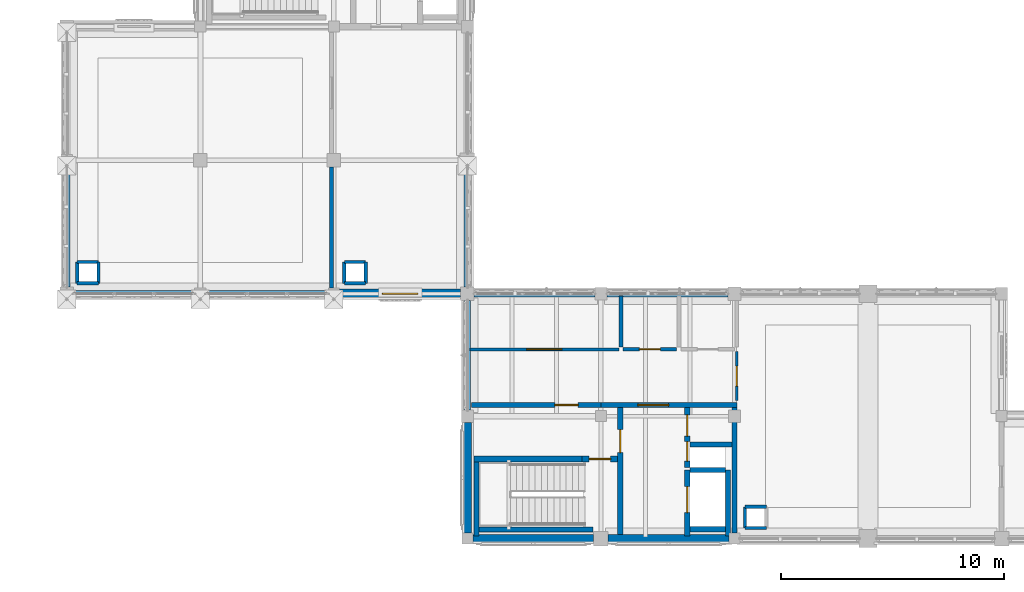
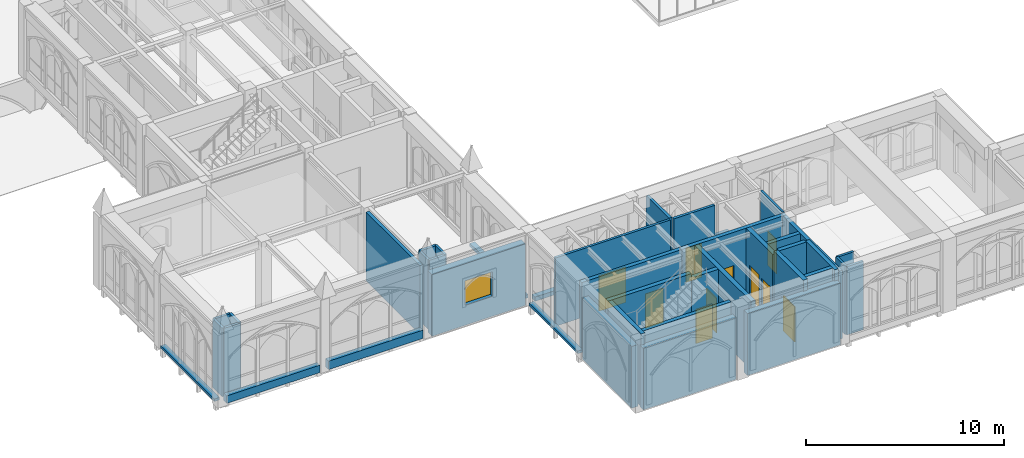
# One storey, part 75 of 127: 41 walls, 10 doors, 1 window, 11 openings.
"""IFC4 building model written with IfcOpenShell, lengths in metres."""

from ifc_helpers import new_model, si_unit, direction, frame, frame_2d, origin, place, context, subcontext, project, spatial, rectangle, extrude, material, layer, layer_set, type_object, element, fill, save


model = new_model("IFC4")

# Units and contexts
model_context = context("Model", 3, precision=1e-05, world=origin(), true_north=direction((0.0, 1.0)))
body_context = subcontext(model_context, "Body", "Model", "MODEL_VIEW")
ifc_project = project(units=[si_unit("LENGTHUNIT", "METRE"), si_unit("AREAUNIT", "SQUARE_METRE"), si_unit("VOLUMEUNIT", "CUBIC_METRE"), si_unit("PLANEANGLEUNIT", "RADIAN"), si_unit("MASSUNIT", "GRAM", prefix="KILO")], contexts=[model_context])

# Site, building, storey
site_placement = place(None, origin())
site = spatial("IfcSite", under=ifc_project, at=site_placement, CompositionType="ELEMENT")
building_placement = place(site_placement, origin())
building = spatial("IfcBuilding", under=site, at=building_placement, Name="Cumevento Cable Car Station", CompositionType="ELEMENT")
storey_placement = place(building_placement, frame((0.0, 0.0, 4.5)))
storey = spatial("IfcBuildingStorey", under=building, at=storey_placement, Name="L02", CompositionType="ELEMENT", Elevation=4.5)

# Walls
ifc_material_1 = material(Name="Gnaisse Facoidal Stone Ashlar 85 MPa", Category="masonry")
ifc_layer_1 = layer(ifc_material_1, 0.294921875)
ifc_layer_set_1 = layer_set([ifc_layer_1], Name="Gnaisse Facoidal Stone Ashlar 85 MPa")
wall_type_1 = type_object("IfcWallType", Name="Exterior Envelope Wall EW-295 295", PredefinedType="SOLIDWALL", material=ifc_layer_set_1)
wall_1_placement = place(storey_placement, frame((22.300048828125, 15.0, 0.0), z_axis=(0.0, 0.0, 1.0), x_axis=(1.0, 0.0, 0.0)))
element("IfcWall", 1, at=wall_1_placement, inside=storey, type_object=wall_type_1, Name="Exterior Sill Curb Wall EW-295 L02 #82", PredefinedType="SOLIDWALL", context=body_context, shape_type="SweptSolid", body=[
    extrude(rectangle(XDim=5.425048828125, YDim=0.294921875, at=frame_2d((2.71240234375, 0.0))), origin(), (0.0, 0.0, 1.0), 0.260009765625),
])
wall_2_placement = place(storey_placement, frame((28.27490234375, 15.0, 0.0), z_axis=(0.0, 0.0, 1.0), x_axis=(1.0, 0.0, 0.0)))
element("IfcWall", 2, at=wall_2_placement, inside=storey, type_object=wall_type_1, Name="Exterior Sill Curb Wall EW-295 L02 #84", PredefinedType="SOLIDWALL", context=body_context, shape_type="SweptSolid", body=[
    extrude(rectangle(XDim=5.425048828125, YDim=0.294921875, at=frame_2d((2.71240234375, 0.0))), origin(), (0.0, 0.0, 1.0), 0.31005859375),
])
wall_3_placement = place(storey_placement, frame((22.0, 9.77490234375, 0.0), z_axis=(0.0, 0.0, 1.0), x_axis=(0.0, 1.0, 0.0)))
element("IfcWall", 3, at=wall_3_placement, inside=storey, type_object=wall_type_1, Name="Exterior Sill Curb Wall EW-295 L02 #90", PredefinedType="SOLIDWALL", context=body_context, shape_type="SweptSolid", body=[
    extrude(rectangle(XDim=4.925048828125, YDim=0.294921875, at=frame_2d((2.46240234375, 0.0))), origin(), (0.0, 0.0, 1.0), 0.159912109375),
])
wall_4_placement = place(storey_placement, frame((9.75, 15.0, 0.0), z_axis=(0.0, 0.0, 1.0), x_axis=(-1.0, 0.0, 0.0)))
element("IfcWall", 4, at=wall_4_placement, inside=storey, type_object=wall_type_1, Name="Exterior Sill Curb Wall EW-295 L02 #125", PredefinedType="SOLIDWALL", context=body_context, shape_type="SweptSolid", body=[
    extrude(rectangle(XDim=5.449951171875, YDim=0.294921875, at=frame_2d((2.72509765625, 0.0))), origin(), (0.0, 0.0, 1.0), 0.4599609375),
])
wall_5_placement = place(storey_placement, frame((15.75, 15.0, 0.0), z_axis=(0.0, 0.0, 1.0), x_axis=(-1.0, 0.0, 0.0)))
element("IfcWall", 5, at=wall_5_placement, inside=storey, type_object=wall_type_1, Name="Exterior Sill Curb Wall EW-295 L02 #127", PredefinedType="SOLIDWALL", context=body_context, shape_type="SweptSolid", body=[
    extrude(rectangle(XDim=5.5, YDim=0.294921875, at=frame_2d((2.75, 0.0))), origin(), (0.0, 0.0, 1.0), 0.52001953125),
])
wall_6_placement = place(storey_placement, frame((4.0, 15.300048828125, 0.0), z_axis=(0.0, 0.0, 1.0), x_axis=(0.0, 1.0, 0.0)))
element("IfcWall", 6, at=wall_6_placement, inside=storey, type_object=wall_type_1, Name="Exterior Sill Curb Wall EW-295 L02 #129", PredefinedType="SOLIDWALL", context=body_context, shape_type="SweptSolid", body=[
    extrude(rectangle(XDim=5.449951171875, YDim=0.294921875, at=frame_2d((2.72509765625, 0.0))), origin(), (0.0, 0.0, 1.0), 0.159912109375),
])
wall_7_placement = place(storey_placement, frame((22.0, 20.675048828125, 0.0), z_axis=(0.0, 0.0, 1.0), x_axis=(0.0, -1.0, 0.0)))
element("IfcWall", 7, at=wall_7_placement, inside=storey, type_object=wall_type_1, Name="Exterior Sill Curb Wall EW-295 L02 #130", PredefinedType="SOLIDWALL", context=body_context, shape_type="SweptSolid", body=[
    extrude(rectangle(XDim=5.375, YDim=0.294921875, at=frame_2d((2.6875, 0.0))), origin(), (0.0, 0.0, 1.0), 0.2099609375),
])
ifc_material_2 = material(Name="Concrete C40/50", Category="concrete")
ifc_layer_2 = layer(ifc_material_2, 0.35498046875)
ifc_layer_set_2 = layer_set([ifc_layer_2], Name="Concrete C40/50")
wall_type_2 = type_object("IfcWallType", Name="Exterior Envelope Wall EW-355 355", PredefinedType="SOLIDWALL", material=ifc_layer_set_2)
for number, where, z_axis, x_axis, name in (
    (8, (27.675048828125, 4.0, 0.0), (0.0, 0.0, 1.0), (-1.0, 0.0, 0.0), "Exterior Wall EW-355 L02 #81"),
    (9, (33.75, 4.0, 0.0), (0.0, 0.0, 1.0), (-1.0, 0.0, 0.0), "Exterior Wall EW-355 L02 #83"),
):
    element("IfcWall", number, at=place(storey_placement, frame(where, z_axis=z_axis, x_axis=x_axis)), inside=storey, type_object=wall_type_2, Name=name, PredefinedType="SOLIDWALL", context=body_context, shape_type="SweptSolid", body=[
        extrude(rectangle(XDim=5.425048828125, YDim=0.35498046875, at=frame_2d((2.71240234375, 0.0))), origin(), (0.0, 0.0, 1.0), 3.80908203125),
    ])
wall_8_placement = place(storey_placement, frame((22.0, 4.25, 0.0), z_axis=(0.0, 0.0, 1.0), x_axis=(0.0, 1.0, 0.0)))
element("IfcWall", 10, at=wall_8_placement, inside=storey, type_object=wall_type_2, Name="Exterior Wall EW-355 L02 #89", PredefinedType="SOLIDWALL", context=body_context, shape_type="SweptSolid", body=[
    extrude(rectangle(XDim=4.97509765625, YDim=0.35498046875, at=frame_2d((2.487548828125, 0.0))), origin(), (0.0, 0.0, 1.0), 3.80908203125),
])

# Wall, opening, window
ifc_material_3 = material(Name="Gnaisse Facoidal Stone Ashlar 85 MPa", Category="masonry")
ifc_layer_3 = layer(ifc_material_3, 0.429931640625)
ifc_layer_set_3 = layer_set([ifc_layer_3], Name="Gnaisse Facoidal Stone Ashlar 85 MPa")
wall_type_3 = type_object("IfcWallType", Name="Exterior Envelope Wall EW-430 430", PredefinedType="SOLIDWALL", material=ifc_layer_set_3)
wall_9_placement = place(storey_placement, frame((21.699951171875, 15.0, 0.0), z_axis=(0.0, 0.0, 1.0), x_axis=(-1.0, 0.0, 0.0)))
wall_9 = element("IfcWall", 11, at=wall_9_placement, inside=storey, type_object=wall_type_3, Name="Exterior Wall EW-430 L02 #128", PredefinedType="SOLIDWALL", context=body_context, shape_type="SweptSolid", body=[
    extrude(rectangle(XDim=5.449951171875, YDim=0.429931640625, at=frame_2d((2.72509765625, 0.0))), origin(), (0.0, 0.0, 1.0), 3.80908203125),
])
opening_1_placement = place(wall_9_placement, frame((1.925048828125, 0.0, 1.25)))
opening_1 = element("IfcOpeningElement", 12, at=opening_1_placement, cuts=wall_9, Name="Opening WN-L02-045", PredefinedType="OPENING", context=body_context, shape_type="SweptSolid", body=[
    extrude(rectangle(XDim=1.60009765625, YDim=1.5, at=frame_2d((0.800048828125, 0.75))), frame((0.0, 0.224853515625, 0.0), z_axis=(0.0, -1.0, 0.0), x_axis=(1.0, 0.0, 0.0)), (0.0, 0.0, 1.0), 0.449951171875),
])
ifc_material_4 = material(Name="Anodised Bronze Aluminium & Laminated Solar Glass", Category="aluminium")
window_type = type_object("IfcWindowType", Name="Lancet Window WN-21 1600x1500", PartitioningType="DOUBLE_PANEL_VERTICAL", PredefinedType="WINDOW", material=ifc_material_4)
window_placement = place(opening_1_placement, origin())
window = element("IfcWindow", 13, at=window_placement, inside=storey, type_object=window_type, Name="Lancet Window WN-L02-045 (WN-21)", OverallHeight=1.5, OverallWidth=1.60009765625, PartitioningType="SINGLE_PANEL", PredefinedType="WINDOW", context=body_context, shape_type="SweptSolid", body=[
    extrude(rectangle(XDim=1.60009765625, YDim=1.5, at=frame_2d((0.800048828125, 0.75))), frame((0.0, 0.030029296875, 0.0), z_axis=(0.0, -1.0, 0.0), x_axis=(1.0, 0.0, 0.0)), (0.0, 0.0, 1.0), 0.06005859375),
])
fill(opening_1, window)

# Wall, opening, door
ifc_material_5 = material(Name="Gypsum Board & Insulated Stud Partition", Category="gypsum")
ifc_layer_4 = layer(ifc_material_5, 0.125)
ifc_layer_set_4 = layer_set([ifc_layer_4], Name="Gypsum Board & Insulated Stud Partition")
wall_type_4 = type_object("IfcWallType", Name="Interior Partition PT-125 125", PredefinedType="PARTITIONING", material=ifc_layer_set_4)
wall_10_placement = place(storey_placement, frame((34.10009765625, 10.199951171875, 0.0), z_axis=(0.0, 0.0, 1.0), x_axis=(0.0, 1.0, 0.0)))
wall_10 = element("IfcWall", 14, at=wall_10_placement, inside=storey, type_object=wall_type_4, Name="Interior Wall PT-125 L02 #589", PredefinedType="PARTITIONING", context=body_context, shape_type="SweptSolid", body=[
    extrude(rectangle(XDim=2.199951171875, YDim=0.125, at=frame_2d((1.10009765625, 0.0))), origin(), (0.0, 0.0, 1.0), 4.216064453125),
])
opening_2_placement = place(wall_10_placement, frame((0.64990234375, 0.0, 0.0)))
opening_2 = element("IfcOpeningElement", 15, at=opening_2_placement, cuts=wall_10, Name="Opening DR-L02-204", PredefinedType="OPENING", context=body_context, shape_type="SweptSolid", body=[
    extrude(rectangle(XDim=0.89990234375, YDim=2.10009765625, at=frame_2d((0.449951171875, 1.050048828125))), frame((0.0, 0.072509765625, 0.0), z_axis=(0.0, -1.0, 0.0), x_axis=(1.0, 0.0, 0.0)), (0.0, 0.0, 1.0), 0.14501953125),
])
ifc_material_6 = material(Name="Hardwood Ipe Timber Door Leaf", Category="wood")
door_type_1 = type_object("IfcDoorType", Name="Interior Door ID-02 900x2100", OperationType="NOTDEFINED", PredefinedType="DOOR", material=ifc_material_6)
door_1_placement = place(opening_2_placement, origin())
door_1 = element("IfcDoor", 16, at=door_1_placement, inside=storey, type_object=door_type_1, Name="Interior Door DR-L02-204 (ID-02)", OperationType="SINGLE_SWING_LEFT", OverallHeight=2.10009765625, OverallWidth=0.89990234375, PredefinedType="DOOR", context=body_context, shape_type="SweptSolid", body=[
    extrude(rectangle(XDim=0.89990234375, YDim=2.10009765625, at=frame_2d((0.449951171875, 1.050048828125))), frame((0.0, 0.02490234375, 0.0), z_axis=(0.0, -1.0, 0.0), x_axis=(1.0, 0.0, 0.0)), (0.0, 0.0, 1.0), 0.050048828125),
])
fill(opening_2, door_1)

# Walls
ifc_material_7 = material(Name="Gypsum Board & Insulated Stud Partition", Category="gypsum")
ifc_layer_5 = layer(ifc_material_7, 0.14501953125)
ifc_layer_set_5 = layer_set([ifc_layer_5], Name="Gypsum Board & Insulated Stud Partition")
wall_type_5 = type_object("IfcWallType", Name="Interior Partition PT-145 145", PredefinedType="PARTITIONING", material=ifc_layer_set_5)
for number, where, z_axis, x_axis, name in (
    (17, (34.469970703125, 4.469970703125, 0.0), (0.0, 0.0, 1.0), (1.0, 0.0, 0.0), "Interior Wall PT-145 L02 #1"),
    (18, (35.429931640625, 5.429931640625, 0.0), (0.0, 0.0, 1.0), (-1.0, 0.0, 0.0), "Interior Wall PT-145 L02 #3"),
    (19, (34.469970703125, 5.429931640625, 0.0), (0.0, 0.0, 1.0), (0.0, -1.0, 0.0), "Interior Wall PT-145 L02 #4"),
):
    element("IfcWall", number, at=place(storey_placement, frame(where, z_axis=z_axis, x_axis=x_axis)), inside=storey, type_object=wall_type_5, Name=name, PredefinedType="PARTITIONING", context=body_context, shape_type="SweptSolid", body=[
        extrude(rectangle(XDim=0.9599609375, YDim=0.14501953125, at=frame_2d((0.47998046875, 0.0))), origin(), (0.0, 0.0, 1.0), 4.216064453125),
    ])
for number, where, z_axis, x_axis, name in (
    (20, (4.469970703125, 15.469970703125, 0.0), (0.0, 0.0, 1.0), (1.0, 0.0, 0.0), "Interior Wall PT-145 L02 #29"),
    (21, (5.429931640625, 15.469970703125, 0.0), (0.0, 0.0, 1.0), (0.0, 1.0, 0.0), "Interior Wall PT-145 L02 #30"),
    (22, (5.429931640625, 16.429931640625, 0.0), (0.0, 0.0, 1.0), (-1.0, 0.0, 0.0), "Interior Wall PT-145 L02 #31"),
    (23, (4.469970703125, 16.429931640625, 0.0), (0.0, 0.0, 1.0), (0.0, -1.0, 0.0), "Interior Wall PT-145 L02 #32"),
    (24, (16.469970703125, 15.469970703125, 0.0), (0.0, 0.0, 1.0), (1.0, 0.0, 0.0), "Interior Wall PT-145 L02 #33"),
    (25, (17.429931640625, 15.469970703125, 0.0), (0.0, 0.0, 1.0), (0.0, 1.0, 0.0), "Interior Wall PT-145 L02 #34"),
    (26, (17.429931640625, 16.429931640625, 0.0), (0.0, 0.0, 1.0), (-1.0, 0.0, 0.0), "Interior Wall PT-145 L02 #35"),
    (27, (16.469970703125, 16.429931640625, 0.0), (0.0, 0.0, 1.0), (0.0, -1.0, 0.0), "Interior Wall PT-145 L02 #36"),
):
    element("IfcWall", number, at=place(storey_placement, frame(where, z_axis=z_axis, x_axis=x_axis)), inside=storey, type_object=wall_type_5, Name=name, PredefinedType="PARTITIONING", context=body_context, shape_type="SweptSolid", body=[
        extrude(rectangle(XDim=0.9599609375, YDim=0.14501953125, at=frame_2d((0.47998046875, 0.0))), origin(), (0.0, 0.0, 1.0), 4.239990234375),
    ])

# Wall, opening, door
wall_11_placement = place(storey_placement, frame((22.10595703125, 12.5, 0.0), z_axis=(0.0, 0.0, 1.0), x_axis=(1.0, 0.0, 0.0)))
wall_11 = element("IfcWall", 28, at=wall_11_placement, inside=storey, type_object=wall_type_5, Name="Interior Wall PT-145 L02 #592", PredefinedType="PARTITIONING", context=body_context, shape_type="SweptSolid", body=[
    extrude(rectangle(XDim=6.694091796875, YDim=0.14501953125, at=frame_2d((3.34716796875, 0.0))), origin(), (0.0, 0.0, 1.0), 4.216064453125),
])
opening_3_placement = place(wall_11_placement, frame((2.556884765625, 0.0, 0.0)))
opening_3 = element("IfcOpeningElement", 29, at=opening_3_placement, cuts=wall_11, Name="Opening DR-L02-206", PredefinedType="OPENING", context=body_context, shape_type="SweptSolid", body=[
    extrude(rectangle(XDim=1.580078125, YDim=2.199951171875, at=frame_2d((0.7900390625, 1.10009765625))), frame((0.0, 0.08251953125, 0.0), z_axis=(0.0, -1.0, 0.0), x_axis=(1.0, 0.0, 0.0)), (0.0, 0.0, 1.0), 0.1650390625),
])
ifc_material_8 = material(Name="Galvanised Painted Steel Fire Door", Category="steel")
door_type_2 = type_object("IfcDoorType", Name="Interior Door FD-06 1580x2200", OperationType="NOTDEFINED", PredefinedType="DOOR", material=ifc_material_8)
door_2_placement = place(opening_3_placement, origin())
door_2 = element("IfcDoor", 30, at=door_2_placement, inside=storey, type_object=door_type_2, Name="Interior Door DR-L02-206 (FD-06)", OperationType="DOUBLE_DOOR_SINGLE_SWING", OverallHeight=2.199951171875, OverallWidth=1.580078125, PredefinedType="DOOR", context=body_context, shape_type="SweptSolid", body=[
    extrude(rectangle(XDim=1.580078125, YDim=2.199951171875, at=frame_2d((0.7900390625, 1.10009765625))), frame((0.0, 0.02490234375, 0.0), z_axis=(0.0, -1.0, 0.0), x_axis=(1.0, 0.0, 0.0)), (0.0, 0.0, 1.0), 0.050048828125),
])
fill(opening_3, door_2)

ifc_material_9 = material(Name="Gypsum Board & Insulated Stud Partition", Category="gypsum")
ifc_layer_6 = layer(ifc_material_9, 0.155029296875)
ifc_layer_set_6 = layer_set([ifc_layer_6], Name="Gypsum Board & Insulated Stud Partition")
wall_type_6 = type_object("IfcWallType", Name="Interior Partition PT-155 155", PredefinedType="PARTITIONING", material=ifc_layer_set_6)
wall_12_placement = place(storey_placement, frame((29.0, 12.5, 0.0), z_axis=(0.0, 0.0, 1.0), x_axis=(1.0, 0.0, 0.0)))
wall_12 = element("IfcWall", 31, at=wall_12_placement, inside=storey, type_object=wall_type_6, Name="Interior Wall PT-155 L02 #593", PredefinedType="PARTITIONING", context=body_context, shape_type="SweptSolid", body=[
    extrude(rectangle(XDim=2.39990234375, YDim=0.155029296875, at=frame_2d((1.199951171875, 0.0))), origin(), (0.0, 0.0, 1.0), 4.216064453125),
])
opening_4_placement = place(wall_12_placement, frame((0.72998046875, 0.0, 0.0)))
opening_4 = element("IfcOpeningElement", 32, at=opening_4_placement, cuts=wall_12, Name="Opening DR-L02-207", PredefinedType="OPENING", context=body_context, shape_type="SweptSolid", body=[
    extrude(rectangle(XDim=0.93994140625, YDim=2.10009765625, at=frame_2d((0.469970703125, 1.050048828125))), frame((0.0, 0.087646484375, 0.0), z_axis=(0.0, -1.0, 0.0), x_axis=(1.0, 0.0, 0.0)), (0.0, 0.0, 1.0), 0.175048828125),
])
ifc_material_10 = material(Name="Galvanised Painted Steel Fire Door", Category="steel")
door_type_3 = type_object("IfcDoorType", Name="Interior Door FD-08 940x2100", OperationType="NOTDEFINED", PredefinedType="DOOR", material=ifc_material_10)
door_3_placement = place(opening_4_placement, origin())
door_3 = element("IfcDoor", 33, at=door_3_placement, inside=storey, type_object=door_type_3, Name="Interior Door DR-L02-207 (FD-08)", OperationType="SINGLE_SWING_LEFT", OverallHeight=2.10009765625, OverallWidth=0.93994140625, PredefinedType="DOOR", context=body_context, shape_type="SweptSolid", body=[
    extrude(rectangle(XDim=0.93994140625, YDim=2.10009765625, at=frame_2d((0.469970703125, 1.050048828125))), frame((0.0, 0.02490234375, 0.0), z_axis=(0.0, -1.0, 0.0), x_axis=(1.0, 0.0, 0.0)), (0.0, 0.0, 1.0), 0.050048828125),
])
fill(opening_4, door_3)

# Walls
ifc_material_11 = material(Name="Gypsum Board & Insulated Stud Partition", Category="gypsum")
ifc_layer_7 = layer(ifc_material_11, 0.1650390625)
ifc_layer_set_7 = layer_set([ifc_layer_7], Name="Gypsum Board & Insulated Stud Partition")
wall_type_7 = type_object("IfcWallType", Name="Interior Partition PT-165 165", PredefinedType="PARTITIONING", material=ifc_layer_set_7)
wall_13_placement = place(storey_placement, frame((28.89990234375, 12.60009765625, 0.0), z_axis=(0.0, 0.0, 1.0), x_axis=(0.0, 1.0, 0.0)))
element("IfcWall", 34, at=wall_13_placement, inside=storey, type_object=wall_type_7, Name="Interior Wall PT-165 L02 #595", PredefinedType="PARTITIONING", context=body_context, shape_type="SweptSolid", body=[
    extrude(rectangle(XDim=2.308837890625, YDim=0.1650390625, at=frame_2d((1.154296875, 0.0))), origin(), (0.0, 0.0, 1.0), 4.216064453125),
])
ifc_material_12 = material(Name="Moisture-Resistant Tile & Stud Partition", Category="gypsum")
ifc_layer_8 = layer(ifc_material_12, 0.18505859375)
ifc_layer_set_8 = layer_set([ifc_layer_8], Name="Moisture-Resistant Tile & Stud Partition")
wall_type_8 = type_object("IfcWallType", Name="Interior Partition PT-185 185", PredefinedType="PARTITIONING", material=ifc_layer_set_8)
wall_14_placement = place(storey_placement, frame((15.89990234375, 15.251953125, 0.0), z_axis=(0.0, 0.0, 1.0), x_axis=(0.0, 1.0, 0.0)))
element("IfcWall", 35, at=wall_14_placement, inside=storey, type_object=wall_type_8, Name="Interior Wall PT-185 L02 #613", PredefinedType="PARTITIONING", context=body_context, shape_type="SweptSolid", body=[
    extrude(rectangle(XDim=5.446044921875, YDim=0.18505859375, at=frame_2d((2.72314453125, 0.0))), origin(), (0.0, 0.0, 1.0), 4.239990234375),
])

# Wall, opening, door
ifc_material_13 = material(Name="Concrete C40/50", Category="concrete")
ifc_layer_9 = layer(ifc_material_13, 0.22998046875)
ifc_layer_set_9 = layer_set([ifc_layer_9], Name="Concrete C40/50")
wall_type_9 = type_object("IfcWallType", Name="Interior Shear Wall CW-230 230", PredefinedType="SHEAR", material=ifc_layer_set_9)
wall_15_placement = place(storey_placement, frame((22.175048828125, 10.0, 0.0), z_axis=(0.0, 0.0, 1.0), x_axis=(1.0, 0.0, 0.0)))
wall_15 = element("IfcWall", 36, at=wall_15_placement, inside=storey, type_object=wall_type_9, Name="Interior Wall CW-230 L02 #235", PredefinedType="SHEAR", context=body_context, shape_type="SweptSolid", body=[
    extrude(rectangle(XDim=5.824951171875, YDim=0.22998046875, at=frame_2d((2.91259765625, 0.0))), origin(), (0.0, 0.0, 1.0), 4.216064453125),
])
opening_5_placement = place(wall_15_placement, frame((3.7548828125, 0.0, 0.0)))
opening_5 = element("IfcOpeningElement", 37, at=opening_5_placement, cuts=wall_15, Name="Opening DR-L02-051", PredefinedType="OPENING", context=body_context, shape_type="SweptSolid", body=[
    extrude(rectangle(XDim=1.0400390625, YDim=2.139892578125, at=frame_2d((0.52001953125, 1.06982421875))), frame((0.0, 0.125, 0.0), z_axis=(0.0, -1.0, 0.0), x_axis=(1.0, 0.0, 0.0)), (0.0, 0.0, 1.0), 0.25),
])
ifc_material_14 = material(Name="Galvanised Painted Steel Fire Door", Category="steel")
door_type_4 = type_object("IfcDoorType", Name="Interior Door FD-02 1040x2140", OperationType="NOTDEFINED", PredefinedType="DOOR", material=ifc_material_14)
door_4_placement = place(opening_5_placement, origin())
door_4 = element("IfcDoor", 38, at=door_4_placement, inside=storey, type_object=door_type_4, Name="Core CORE2 N_vest Fire Door L02", OperationType="SINGLE_SWING_RIGHT", OverallHeight=2.139892578125, OverallWidth=1.0400390625, PredefinedType="DOOR", context=body_context, shape_type="SweptSolid", body=[
    extrude(rectangle(XDim=1.0400390625, YDim=2.139892578125, at=frame_2d((0.52001953125, 1.06982421875))), frame((0.0, 0.02490234375, 0.0), z_axis=(0.0, -1.0, 0.0), x_axis=(1.0, 0.0, 0.0)), (0.0, 0.0, 1.0), 0.050048828125),
])
fill(opening_5, door_4)

wall_16_placement = place(storey_placement, frame((28.0, 10.0, 0.0), z_axis=(0.0, 0.0, 1.0), x_axis=(1.0, 0.0, 0.0)))
wall_16 = element("IfcWall", 39, at=wall_16_placement, inside=storey, type_object=wall_type_9, Name="Interior Wall CW-230 L02 #236", PredefinedType="SHEAR", context=body_context, shape_type="SweptSolid", body=[
    extrude(rectangle(XDim=6.114990234375, YDim=0.22998046875, at=frame_2d((3.0576171875, 0.0))), origin(), (0.0, 0.0, 1.0), 4.216064453125),
])
opening_6_placement = place(wall_16_placement, frame((1.659912109375, 0.0, 0.0)))
opening_6 = element("IfcOpeningElement", 40, at=opening_6_placement, cuts=wall_16, Name="Opening DR-L02-052", PredefinedType="OPENING", context=body_context, shape_type="SweptSolid", body=[
    extrude(rectangle(XDim=1.3798828125, YDim=2.159912109375, at=frame_2d((0.68994140625, 1.080078125))), frame((0.0, 0.125, 0.0), z_axis=(0.0, -1.0, 0.0), x_axis=(1.0, 0.0, 0.0)), (0.0, 0.0, 1.0), 0.25),
])
ifc_material_15 = material(Name="Galvanised Painted Steel Fire Door", Category="steel")
door_type_5 = type_object("IfcDoorType", Name="Interior Door FD-04 1380x2160", OperationType="NOTDEFINED", PredefinedType="DOOR", material=ifc_material_15)
door_5_placement = place(opening_6_placement, origin())
door_5 = element("IfcDoor", 41, at=door_5_placement, inside=storey, type_object=door_type_5, Name="Core CORE2 N_lobby Fire Door L02", OperationType="DOUBLE_DOOR_SINGLE_SWING", OverallHeight=2.159912109375, OverallWidth=1.3798828125, PredefinedType="DOOR", context=body_context, shape_type="SweptSolid", body=[
    extrude(rectangle(XDim=1.3798828125, YDim=2.159912109375, at=frame_2d((0.68994140625, 1.080078125))), frame((0.0, 0.02490234375, 0.0), z_axis=(0.0, -1.0, 0.0), x_axis=(1.0, 0.0, 0.0)), (0.0, 0.0, 1.0), 0.050048828125),
])
fill(opening_6, door_5)

# Walls
wall_17_placement = place(storey_placement, frame((34.0, 4.25, 0.0), z_axis=(0.0, 0.0, 1.0), x_axis=(0.0, 1.0, 0.0)))
element("IfcWall", 42, at=wall_17_placement, inside=storey, type_object=wall_type_9, Name="Interior Wall CW-230 L02 #237", PredefinedType="SHEAR", context=body_context, shape_type="SweptSolid", body=[
    extrude(rectangle(XDim=5.635009765625, YDim=0.22998046875, at=frame_2d((2.8173828125, 0.0))), origin(), (0.0, 0.0, 1.0), 4.216064453125),
])
wall_18_placement = place(storey_placement, frame((22.405029296875, 4.114990234375, 0.0), z_axis=(0.0, 0.0, 1.0), x_axis=(0.0, 1.0, 0.0)))
element("IfcWall", 43, at=wall_18_placement, inside=storey, type_object=wall_type_9, Name="Interior Wall CW-230 L02 #238", PredefinedType="SHEAR", context=body_context, shape_type="SweptSolid", body=[
    extrude(rectangle(XDim=3.3349609375, YDim=0.22998046875, at=frame_2d((1.66748046875, 0.0))), origin(), (0.0, 0.0, 1.0), 4.5),
])
wall_19_placement = place(storey_placement, frame((22.52001953125, 4.405029296875, 0.0), z_axis=(0.0, 0.0, 1.0), x_axis=(1.0, 0.0, 0.0)))
element("IfcWall", 44, at=wall_19_placement, inside=storey, type_object=wall_type_9, Name="Interior Wall CW-230 L02 #239", PredefinedType="SHEAR", context=body_context, shape_type="SweptSolid", body=[
    extrude(rectangle(XDim=5.1298828125, YDim=0.22998046875, at=frame_2d((2.56494140625, 0.0))), origin(), (0.0, 0.0, 1.0), 4.5),
])
wall_20_placement = place(storey_placement, frame((32.0048828125, 4.419921875, 0.0), z_axis=(0.0, 0.0, 1.0), x_axis=(1.0, 0.0, 0.0)))
element("IfcWall", 45, at=wall_20_placement, inside=storey, type_object=wall_type_9, Name="Interior Wall CW-230 L02 #244", PredefinedType="SHEAR", context=body_context, shape_type="SweptSolid", body=[
    extrude(rectangle(XDim=1.580078125, YDim=0.22998046875, at=frame_2d((0.7900390625, 0.0))), origin(), (0.0, 0.0, 1.0), 4.5),
])
wall_21_placement = place(storey_placement, frame((33.699951171875, 4.114990234375, 0.0), z_axis=(0.0, 0.0, 1.0), x_axis=(0.0, 1.0, 0.0)))
element("IfcWall", 46, at=wall_21_placement, inside=storey, type_object=wall_type_9, Name="Interior Wall CW-230 L02 #245", PredefinedType="SHEAR", context=body_context, shape_type="SweptSolid", body=[
    extrude(rectangle(XDim=2.965087890625, YDim=0.22998046875, at=frame_2d((1.482421875, 0.0))), origin(), (0.0, 0.0, 1.0), 4.5),
])
wall_22_placement = place(storey_placement, frame((32.0048828125, 7.080078125, 0.0), z_axis=(0.0, 0.0, 1.0), x_axis=(1.0, 0.0, 0.0)))
element("IfcWall", 47, at=wall_22_placement, inside=storey, type_object=wall_type_9, Name="Interior Wall CW-230 L02 #246", PredefinedType="SHEAR", context=body_context, shape_type="SweptSolid", body=[
    extrude(rectangle(XDim=1.580078125, YDim=0.22998046875, at=frame_2d((0.7900390625, 0.0))), origin(), (0.0, 0.0, 1.0), 4.5),
])
wall_23_placement = place(storey_placement, frame((32.0048828125, 8.219970703125, 0.0), z_axis=(0.0, 0.0, 1.0), x_axis=(1.0, 0.0, 0.0)))
element("IfcWall", 48, at=wall_23_placement, inside=storey, type_object=wall_type_9, Name="Interior Wall CW-230 L02 #248", PredefinedType="SHEAR", context=body_context, shape_type="SweptSolid", body=[
    extrude(rectangle(XDim=1.880126953125, YDim=0.22998046875, at=frame_2d((0.93994140625, 0.0))), origin(), (0.0, 0.0, 1.0), 4.216064453125),
])
ifc_material_16 = material(Name="Concrete C40/50", Category="concrete")
ifc_layer_10 = layer(ifc_material_16, 0.25)
ifc_layer_set_10 = layer_set([ifc_layer_10], Name="Concrete C40/50")
wall_type_10 = type_object("IfcWallType", Name="Interior Shear Wall CW-250 250", PredefinedType="SHEAR", material=ifc_layer_set_10)
wall_24_placement = place(storey_placement, frame((22.2900390625, 7.574951171875, 0.0), z_axis=(0.0, 0.0, 1.0), x_axis=(1.0, 0.0, 0.0)))
element("IfcWall", 49, at=wall_24_placement, inside=storey, type_object=wall_type_10, Name="Interior Wall CW-250 L02 #240", PredefinedType="SHEAR", context=body_context, shape_type="SweptSolid", body=[
    extrude(rectangle(XDim=4.869873046875, YDim=0.25, at=frame_2d((2.43505859375, 0.0))), origin(), (0.0, 0.0, 1.0), 4.5),
])

# Wall, opening, door
wall_25_placement = place(storey_placement, frame((27.159912109375, 7.574951171875, 0.0), z_axis=(0.0, 0.0, 1.0), x_axis=(1.0, 0.0, 0.0)))
wall_25 = element("IfcWall", 50, at=wall_25_placement, inside=storey, type_object=wall_type_10, Name="Interior Wall CW-250 L02 #241", PredefinedType="SHEAR", context=body_context, shape_type="SweptSolid", body=[
    extrude(rectangle(XDim=1.580078125, YDim=0.25, at=frame_2d((0.7900390625, 0.0))), origin(), (0.0, 0.0, 1.0), 4.216064453125),
])
opening_7_placement = place(wall_25_placement, frame((0.31005859375, 0.0, 0.0)))
opening_7 = element("IfcOpeningElement", 51, at=opening_7_placement, cuts=wall_25, Name="Opening DR-L02-053", PredefinedType="OPENING", context=body_context, shape_type="SweptSolid", body=[
    extrude(rectangle(XDim=0.9599609375, YDim=2.1201171875, at=frame_2d((0.47998046875, 1.06005859375))), frame((0.0, 0.135009765625, 0.0), z_axis=(0.0, -1.0, 0.0), x_axis=(1.0, 0.0, 0.0)), (0.0, 0.0, 1.0), 0.27001953125),
])
ifc_material_17 = material(Name="Galvanised Painted Steel Fire Door", Category="steel")
door_type_6 = type_object("IfcDoorType", Name="Interior Door FD-01 960x2120", OperationType="NOTDEFINED", PredefinedType="DOOR", material=ifc_material_17)
door_6_placement = place(opening_7_placement, origin())
door_6 = element("IfcDoor", 52, at=door_6_placement, inside=storey, type_object=door_type_6, Name="Stair ST-02 Enclosure Door L02", OperationType="SINGLE_SWING_LEFT", OverallHeight=2.1201171875, OverallWidth=0.9599609375, PredefinedType="DOOR", context=body_context, shape_type="SweptSolid", body=[
    extrude(rectangle(XDim=0.9599609375, YDim=2.1201171875, at=frame_2d((0.47998046875, 1.06005859375))), frame((0.0, 0.02490234375, 0.0), z_axis=(0.0, -1.0, 0.0), x_axis=(1.0, 0.0, 0.0)), (0.0, 0.0, 1.0), 0.050048828125),
])
fill(opening_7, door_6)

wall_26_placement = place(storey_placement, frame((28.864990234375, 4.175048828125, 0.0), z_axis=(0.0, 0.0, 1.0), x_axis=(0.0, 1.0, 0.0)))
wall_26 = element("IfcWall", 53, at=wall_26_placement, inside=storey, type_object=wall_type_10, Name="Interior Wall CW-250 L02 #242", PredefinedType="SHEAR", context=body_context, shape_type="SweptSolid", body=[
    extrude(rectangle(XDim=5.7099609375, YDim=0.25, at=frame_2d((2.85498046875, 0.0))), origin(), (0.0, 0.0, 1.0), 4.216064453125),
])
opening_8_placement = place(wall_26_placement, frame((3.68505859375, 0.0, 0.0)))
opening_8 = element("IfcOpeningElement", 54, at=opening_8_placement, cuts=wall_26, Name="Opening DR-L02-054", PredefinedType="OPENING", context=body_context, shape_type="SweptSolid", body=[
    extrude(rectangle(XDim=1.0400390625, YDim=2.139892578125, at=frame_2d((0.52001953125, 1.06982421875))), frame((0.0, 0.135009765625, 0.0), z_axis=(0.0, -1.0, 0.0), x_axis=(1.0, 0.0, 0.0)), (0.0, 0.0, 1.0), 0.27001953125),
])
door_7_placement = place(opening_8_placement, origin())
door_7 = element("IfcDoor", 55, at=door_7_placement, inside=storey, type_object=door_type_4, Name="Lobby Vestibule Door CORE2 L02", OperationType="SINGLE_SWING_RIGHT", OverallHeight=2.139892578125, OverallWidth=1.0400390625, PredefinedType="DOOR", context=body_context, shape_type="SweptSolid", body=[
    extrude(rectangle(XDim=1.0400390625, YDim=2.139892578125, at=frame_2d((0.52001953125, 1.06982421875))), frame((0.0, 0.02490234375, 0.0), z_axis=(0.0, -1.0, 0.0), x_axis=(1.0, 0.0, 0.0)), (0.0, 0.0, 1.0), 0.050048828125),
])
fill(opening_8, door_7)

wall_27_placement = place(storey_placement, frame((31.8798828125, 4.114990234375, 0.0), z_axis=(0.0, 0.0, 1.0), x_axis=(0.0, 1.0, 0.0)))
wall_27 = element("IfcWall", 56, at=wall_27_placement, inside=storey, type_object=wall_type_10, Name="Interior Wall CW-250 L02 #243", PredefinedType="SHEAR", context=body_context, shape_type="SweptSolid", body=[
    extrude(rectangle(XDim=2.965087890625, YDim=0.25, at=frame_2d((1.482421875, 0.0))), origin(), (0.0, 0.0, 1.0), 4.5),
])
opening_9_placement = place(wall_27_placement, frame((1.054931640625, 0.0, 0.0)))
opening_9 = element("IfcOpeningElement", 57, at=opening_9_placement, cuts=wall_27, Name="Opening LD-LF02-L02", PredefinedType="OPENING", context=body_context, shape_type="SweptSolid", body=[
    extrude(rectangle(XDim=1.159912109375, YDim=2.179931640625, at=frame_2d((0.580078125, 1.08984375))), frame((0.0, 0.135009765625, 0.0), z_axis=(0.0, -1.0, 0.0), x_axis=(1.0, 0.0, 0.0)), (0.0, 0.0, 1.0), 0.27001953125),
])
ifc_material_18 = material(Name="Brushed Stainless Steel Lift Door", Category="steel")
door_type_7 = type_object("IfcDoorType", Name="Interior Door LD-02 1160x2180", OperationType="NOTDEFINED", PredefinedType="DOOR", material=ifc_material_18)
door_8_placement = place(opening_9_placement, origin())
door_8 = element("IfcDoor", 58, at=door_8_placement, inside=storey, type_object=door_type_7, Name="Lift Landing Door LD-LF02-L02", OperationType="DOUBLE_DOOR_SLIDING", OverallHeight=2.179931640625, OverallWidth=1.159912109375, PredefinedType="DOOR", context=body_context, shape_type="SweptSolid", body=[
    extrude(rectangle(XDim=1.159912109375, YDim=2.179931640625, at=frame_2d((0.580078125, 1.08984375))), frame((0.0, 0.02490234375, 0.0), z_axis=(0.0, -1.0, 0.0), x_axis=(1.0, 0.0, 0.0)), (0.0, 0.0, 1.0), 0.050048828125),
])
fill(opening_9, door_8)

# Wall, openings, doors
wall_28_placement = place(storey_placement, frame((31.8798828125, 7.199951171875, 0.0), z_axis=(0.0, 0.0, 1.0), x_axis=(0.0, 1.0, 0.0)))
wall_28 = element("IfcWall", 59, at=wall_28_placement, inside=storey, type_object=wall_type_10, Name="Interior Wall CW-250 L02 #247", PredefinedType="SHEAR", context=body_context, shape_type="SweptSolid", body=[
    extrude(rectangle(XDim=2.68505859375, YDim=0.25, at=frame_2d((1.342529296875, 0.0))), origin(), (0.0, 0.0, 1.0), 4.216064453125),
])
opening_10_placement = place(wall_28_placement, frame((0.280029296875, 0.0, 0.0)))
opening_10 = element("IfcOpeningElement", 60, at=opening_10_placement, cuts=wall_28, Name="Opening DR-L02-056", PredefinedType="OPENING", context=body_context, shape_type="SweptSolid", body=[
    extrude(rectangle(XDim=0.8798828125, YDim=2.080078125, at=frame_2d((0.43994140625, 1.0400390625))), frame((0.0, 0.135009765625, 0.0), z_axis=(0.0, -1.0, 0.0), x_axis=(1.0, 0.0, 0.0)), (0.0, 0.0, 1.0), 0.27001953125),
])
opening_11_placement = place(wall_28_placement, frame((1.39990234375, 0.0, 0.0)))
opening_11 = element("IfcOpeningElement", 61, at=opening_11_placement, cuts=wall_28, Name="Opening DR-L02-057", PredefinedType="OPENING", context=body_context, shape_type="SweptSolid", body=[
    extrude(rectangle(XDim=0.9599609375, YDim=2.1201171875, at=frame_2d((0.47998046875, 1.06005859375))), frame((0.0, 0.135009765625, 0.0), z_axis=(0.0, -1.0, 0.0), x_axis=(1.0, 0.0, 0.0)), (0.0, 0.0, 1.0), 0.27001953125),
])
door_9_placement = place(opening_11_placement, origin())
door_9 = element("IfcDoor", 62, at=door_9_placement, inside=storey, type_object=door_type_6, Name="East Vestibule Lobby Door CORE2 L02", OperationType="SINGLE_SWING_RIGHT", OverallHeight=2.1201171875, OverallWidth=0.9599609375, PredefinedType="DOOR", context=body_context, shape_type="SweptSolid", body=[
    extrude(rectangle(XDim=0.9599609375, YDim=2.1201171875, at=frame_2d((0.47998046875, 1.06005859375))), frame((0.0, 0.02490234375, 0.0), z_axis=(0.0, -1.0, 0.0), x_axis=(1.0, 0.0, 0.0)), (0.0, 0.0, 1.0), 0.050048828125),
])
fill(opening_11, door_9)
ifc_material_19 = material(Name="Galvanised Painted Steel Fire Door", Category="steel")
door_type_8 = type_object("IfcDoorType", Name="Interior Door FD-07 880x2080", OperationType="NOTDEFINED", PredefinedType="DOOR", material=ifc_material_19)
door_10_placement = place(opening_10_placement, origin())
door_10 = element("IfcDoor", 63, at=door_10_placement, inside=storey, type_object=door_type_8, Name="MEP Riser Access Door CORE2 L02", OperationType="SINGLE_SWING_LEFT", OverallHeight=2.080078125, OverallWidth=0.8798828125, PredefinedType="DOOR", context=body_context, shape_type="SweptSolid", body=[
    extrude(rectangle(XDim=0.8798828125, YDim=2.080078125, at=frame_2d((0.43994140625, 1.0400390625))), frame((0.0, 0.02490234375, 0.0), z_axis=(0.0, -1.0, 0.0), x_axis=(1.0, 0.0, 0.0)), (0.0, 0.0, 1.0), 0.050048828125),
])
fill(opening_10, door_10)

save(model, "model.ifc")
